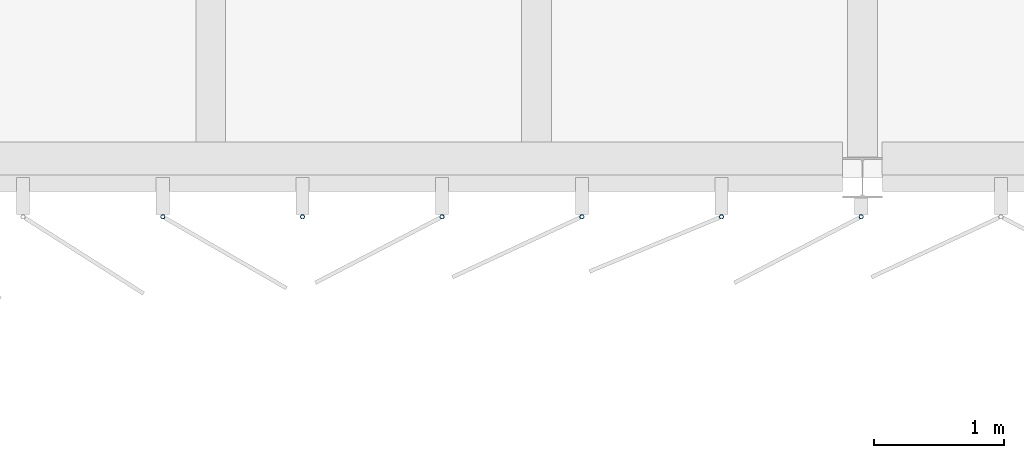
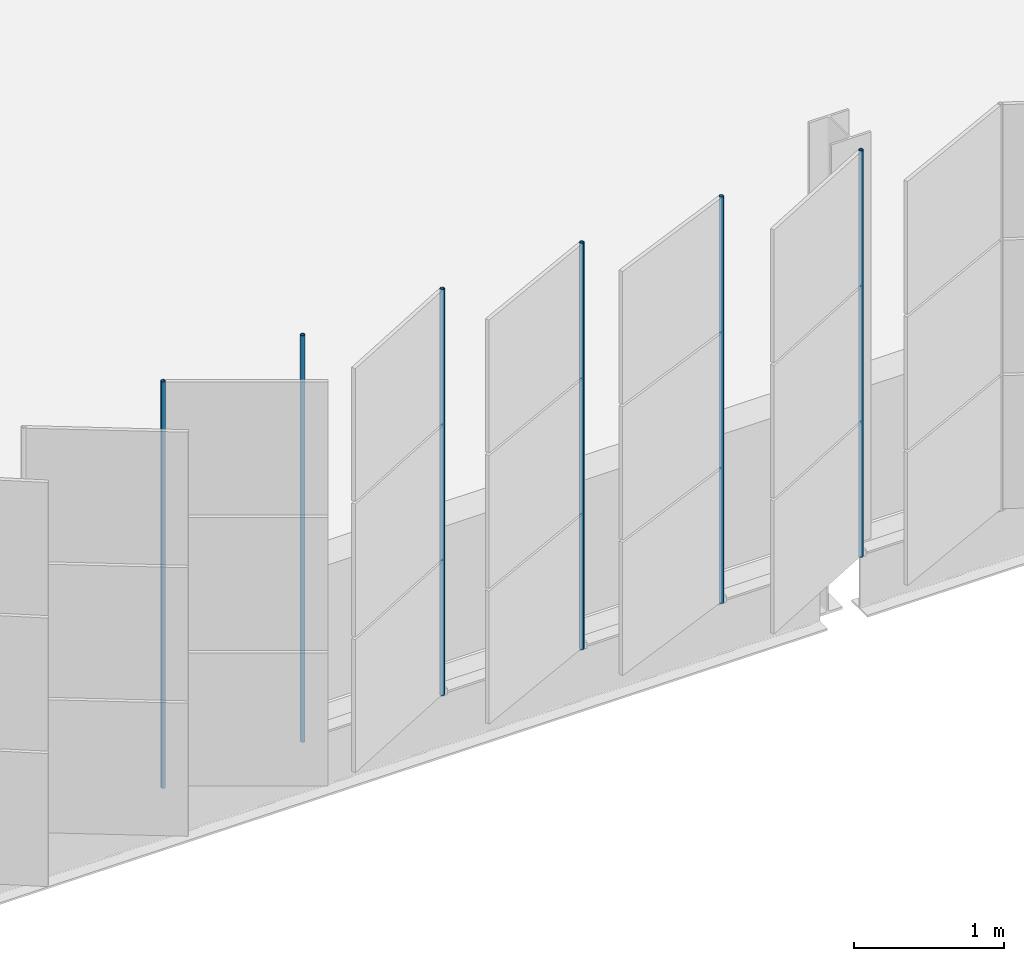
# One storey, part 97 of 214: 6 discrete accessories.
"""IFC4 building model written with IfcOpenShell, lengths in metres."""

from ifc_helpers import new_model, si_unit, direction, frame, origin, origin_2d, place, context, subcontext, project, spatial, hollow_circle, extrude, material, material_profile, profile_set, type_object, element, save


model = new_model("IFC4")

# Units and contexts
model_context = context("Model", 3, precision=1e-05, world=origin(), true_north=direction((0.0, 1.0)))
body_context = subcontext(model_context, "Body", "Model", "MODEL_VIEW")
ifc_project = project(units=[si_unit("LENGTHUNIT", "METRE"), si_unit("AREAUNIT", "SQUARE_METRE"), si_unit("VOLUMEUNIT", "CUBIC_METRE"), si_unit("PLANEANGLEUNIT", "RADIAN"), si_unit("MASSUNIT", "GRAM", prefix="KILO")], contexts=[model_context])

# Site, building, storey
site_placement = place(None, origin())
site = spatial("IfcSite", under=ifc_project, at=site_placement, CompositionType="ELEMENT")
building_placement = place(site_placement, origin())
building = spatial("IfcBuilding", under=site, at=building_placement, Name="Parallax Yard Mobility Hub", CompositionType="ELEMENT")
storey_placement = place(building_placement, frame((0.0, 0.0, 3.300048828125)))
storey = spatial("IfcBuildingStorey", under=building, at=storey_placement, Name="L01", CompositionType="ELEMENT", Elevation=3.300048828125)

# Discrete accessories
ifc_material = material(Name="Steel ASTM A500 Gr C, hot-dip galvanised", Category="steel")
ifc_material_profile = material_profile(ifc_material, hollow_circle(Radius=0.016845703125, WallThickness=0.003173828125, at=origin_2d()), Name="CHS 33.7x3.2")
ifc_profile_set = profile_set([ifc_material_profile], Name="Steel ASTM A500 Gr C, hot-dip galvanised")
discrete_accessory_type = type_object("IfcDiscreteAccessoryType", Name="Hinge post CHS 33.7x3.2", PredefinedType="BRACKET", material=ifc_profile_set)
for number, where, z_axis, x_axis, name in (
    (1, (99.6328125, 112.199951171875, 0.0), (0.0, 0.0, 1.0), (1.0, 0.0, 0.0), "Hinge post bay 9.3 level L01"),
    (2, (100.704345703125, 112.199951171875, 0.0), (0.0, 0.0, 1.0), (1.0, 0.0, 0.0), "Hinge post bay 9.4 level L01"),
    (3, (101.77587890625, 112.199951171875, 0.0), (0.0, 0.0, 1.0), (1.0, 0.0, 0.0), "Hinge post bay 9.5 level L01"),
    (4, (102.847412109375, 112.199951171875, 0.0), (0.0, 0.0, 1.0), (1.0, 0.0, 0.0), "Hinge post bay 9.6 level L01"),
    (5, (103.9189453125, 112.199951171875, 0.0), (0.0, 0.0, 1.0), (1.0, 0.0, 0.0), "Hinge post bay 9.7 level L01"),
    (6, (104.990478515625, 112.199951171875, 0.0), (0.0, 0.0, 1.0), (1.0, 0.0, 0.0), "Hinge post bay 10.1 level L01"),
):
    element("IfcDiscreteAccessory", number, at=place(storey_placement, frame(where, z_axis=z_axis, x_axis=x_axis)), inside=storey, type_object=discrete_accessory_type, Name=name, PredefinedType="BRACKET", context=body_context, shape_type="SweptSolid", body=[
        extrude(hollow_circle(Radius=0.016845703125, WallThickness=0.003173828125, at=origin_2d()), origin(), (0.0, 0.0, 1.0), 3.300048828125),
    ])

save(model, "model.ifc")
